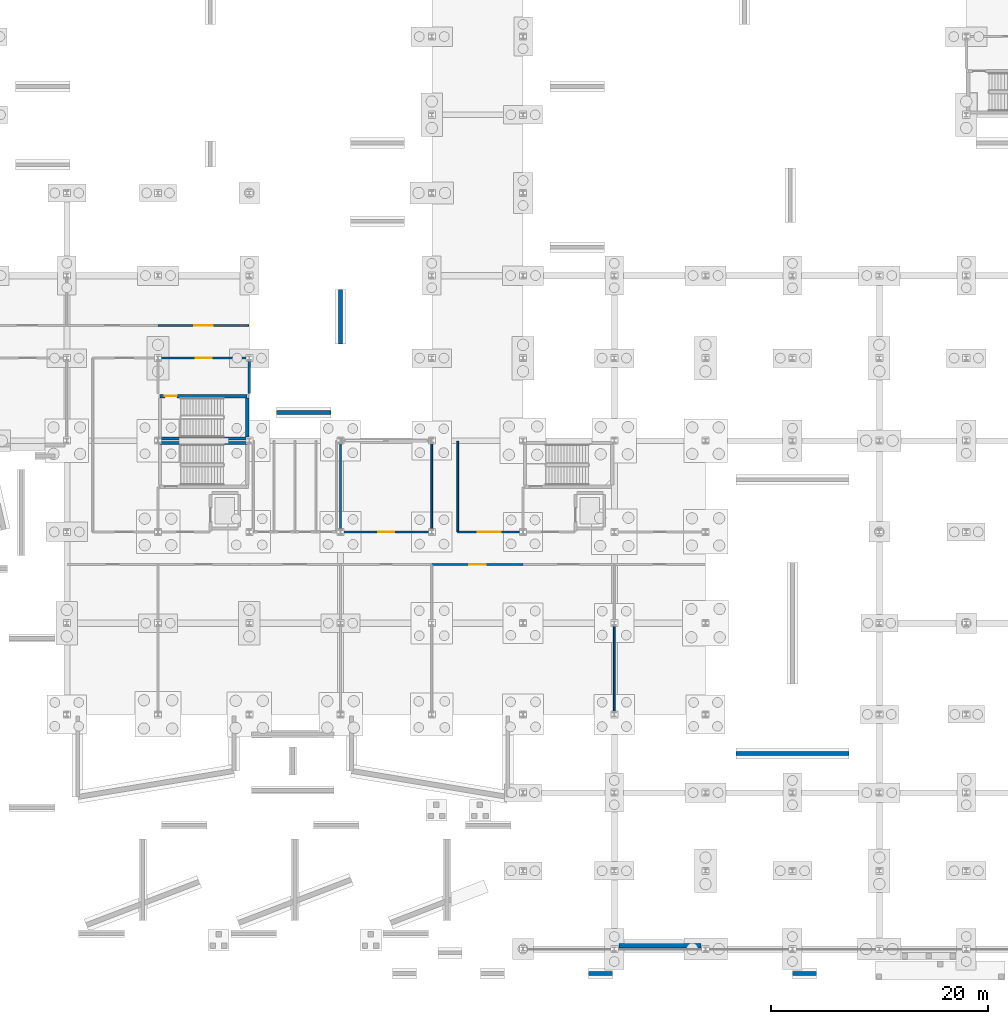
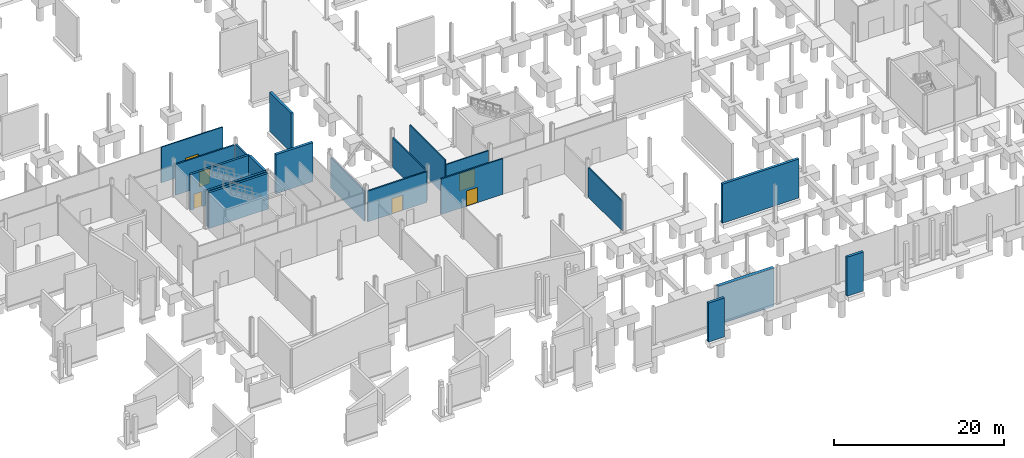
# One storey, part 45 of 61: 20 walls, 6 doors, 6 openings.
"""IFC4 building model written with IfcOpenShell, lengths in metres."""

from ifc_helpers import new_model, si_unit, direction, frame, frame_2d, origin, place, context, subcontext, project, spatial, rectangle, extrude, material, layer, layer_set, type_object, element, fill, save


model = new_model("IFC4")

# Units and contexts
model_context = context("Model", 3, precision=1e-05, world=origin(), true_north=direction((0.0, 1.0)))
body_context = subcontext(model_context, "Body", "Model", "MODEL_VIEW")
ifc_project = project(units=[si_unit("LENGTHUNIT", "METRE"), si_unit("AREAUNIT", "SQUARE_METRE"), si_unit("VOLUMEUNIT", "CUBIC_METRE"), si_unit("PLANEANGLEUNIT", "RADIAN"), si_unit("MASSUNIT", "GRAM", prefix="KILO")], contexts=[model_context])

# Site, building, storey
site_placement = place(None, origin())
site = spatial("IfcSite", under=ifc_project, at=site_placement, CompositionType="ELEMENT")
building_placement = place(site_placement, origin())
building = spatial("IfcBuilding", under=site, at=building_placement, Name="Calvrana Isthmian Art Gallery", CompositionType="ELEMENT")
storey_placement = place(building_placement, frame((0.0, 0.0, -5.39990234375)))
storey = spatial("IfcBuildingStorey", under=building, at=storey_placement, Name="B1", CompositionType="ELEMENT", Elevation=-5.39990234375)

# Walls
ifc_material_1 = material(Name="Concrete C40/50", Category="concrete")
ifc_layer_1 = layer(ifc_material_1, 0.300048828125, Name="Concrete C40/50")
ifc_layer_set_1 = layer_set([ifc_layer_1], Name="Concrete C40/50")
wall_type_1 = type_object("IfcWallType", Name="CW-SHAFT-300", PredefinedType="SHEAR", material=ifc_layer_set_1)
for number, where, z_axis, x_axis, name in (
    (1, (30.18994140625, 46.580078125, 0.0), (0.0, 0.0, 1.0), (1.0, 0.0, 0.0), "Core C1 shear wall N B1"),
    (2, (30.18994140625, 47.0, 0.0), (0.0, 0.0, 1.0), (1.0, 0.0, 0.0), "Core C7 shear wall S B1"),
):
    element("IfcWall", number, at=place(storey_placement, frame(where, z_axis=z_axis, x_axis=x_axis)), inside=storey, type_object=wall_type_1, Name=name, PredefinedType="SHEAR", context=body_context, shape_type="SweptSolid", body=[
        extrude(rectangle(XDim=8.02001953125, YDim=0.300048828125, at=frame_2d((4.010009765625, 0.0))), origin(), (0.0, 0.0, 1.0), 5.119873046875),
    ])

# Wall, opening, door
wall_1_placement = place(storey_placement, frame((30.18994140625, 50.89990234375, 0.0), z_axis=(0.0, 0.0, 1.0), x_axis=(1.0, 0.0, 0.0)))
wall_1 = element("IfcWall", 3, at=wall_1_placement, inside=storey, type_object=wall_type_1, Name="Core C7 shear wall N B1", PredefinedType="SHEAR", context=body_context, shape_type="SweptSolid", body=[
    extrude(rectangle(XDim=8.02001953125, YDim=0.300048828125, at=frame_2d((4.010009765625, 0.0))), origin(), (0.0, 0.0, 1.0), 5.119873046875),
])
opening_1_placement = place(wall_1_placement, frame((0.449951171875, 0.0, 0.0)))
opening_1 = element("IfcOpeningElement", 4, at=opening_1_placement, cuts=wall_1, Name="Opening D-174", PredefinedType="OPENING", context=body_context, shape_type="SweptSolid", body=[
    extrude(rectangle(XDim=1.10009765625, YDim=2.14990234375, at=frame_2d((0.550048828125, 1.074951171875))), frame((0.0, 0.16015625, 0.0), z_axis=(0.0, -1.0, 0.0), x_axis=(1.0, 0.0, 0.0)), (0.0, 0.0, 1.0), 0.320556640625),
])
ifc_material_2 = material(Name="Steel ASTM A572 Gr 50", Category="steel")
door_type_1 = type_object("IfcDoorType", Name="DR-FIRE-1100", OperationType="NOTDEFINED", PredefinedType="DOOR", material=ifc_material_2)
door_1_placement = place(opening_1_placement, origin())
door_1 = element("IfcDoor", 5, at=door_1_placement, inside=storey, type_object=door_type_1, Name="Stair ST-7 fire door B1", OperationType="SINGLE_SWING_RIGHT", OverallHeight=2.14990234375, OverallWidth=1.10009765625, PredefinedType="DOOR", context=body_context, shape_type="SweptSolid", body=[
    extrude(rectangle(XDim=1.10009765625, YDim=2.14990234375, at=frame_2d((0.550048828125, 1.074951171875))), frame((0.0, 0.02490234375, 0.0), z_axis=(0.0, -1.0, 0.0), x_axis=(1.0, 0.0, 0.0)), (0.0, 0.0, 1.0), 0.050048828125),
])
fill(opening_1, door_1)

# Walls
wall_2_placement = place(storey_placement, frame((38.2099609375, 47.14990234375, 0.0), z_axis=(0.0, 0.0, 1.0), x_axis=(0.0, 1.0, 0.0)))
element("IfcWall", 6, at=wall_2_placement, inside=storey, type_object=wall_type_1, Name="Core C7 shear wall E B1", PredefinedType="SHEAR", context=body_context, shape_type="SweptSolid", body=[
    extrude(rectangle(XDim=3.60009765625, YDim=0.300048828125, at=frame_2d((1.800048828125, 0.0))), origin(), (0.0, 0.0, 1.0), 5.119873046875),
])
ifc_material_3 = material(Name="Acoustic gypsum ceiling", Category="gypsum")
ifc_layer_2 = layer(ifc_material_3, 0.199951171875, Name="Acoustic gypsum ceiling")
ifc_layer_set_2 = layer_set([ifc_layer_2], Name="Acoustic gypsum ceiling")
wall_type_2 = type_object("IfcWallType", Name="PW-FIRE-200", PredefinedType="PARTITIONING", material=ifc_layer_set_2)
wall_3_placement = place(storey_placement, frame((38.39990234375, 51.1201171875, 0.0), z_axis=(0.0, 0.0, 1.0), x_axis=(0.0, 1.0, 0.0)))
element("IfcWall", 7, at=wall_3_placement, inside=storey, type_object=wall_type_2, Name="Core C7 lobby E closure B1", PredefinedType="PARTITIONING", context=body_context, shape_type="SweptSolid", body=[
    extrude(rectangle(XDim=3.259765625, YDim=0.199951171875, at=frame_2d((1.6298828125, 0.0))), origin(), (0.0, 0.0, 1.0), 4.48779296875),
])

# Wall, opening, door
wall_4_placement = place(storey_placement, frame((30.219970703125, 54.39990234375, 0.0), z_axis=(0.0, 0.0, 1.0), x_axis=(1.0, 0.0, 0.0)))
wall_4 = element("IfcWall", 8, at=wall_4_placement, inside=storey, type_object=wall_type_2, Name="Core C7 lobby enclosure B1", PredefinedType="PARTITIONING", context=body_context, shape_type="SweptSolid", body=[
    extrude(rectangle(XDim=7.9599609375, YDim=0.199951171875, at=frame_2d((3.97998046875, 0.0))), origin(), (0.0, 0.0, 1.0), 4.406982421875),
])
opening_2_placement = place(wall_4_placement, frame((3.2548828125, 0.0, 0.0)))
opening_2 = element("IfcOpeningElement", 9, at=opening_2_placement, cuts=wall_4, Name="Opening D-175", PredefinedType="OPENING", context=body_context, shape_type="SweptSolid", body=[
    extrude(rectangle(XDim=1.449951171875, YDim=2.199951171875, at=frame_2d((0.72509765625, 1.10009765625))), frame((0.0, 0.1103515625, 0.0), z_axis=(0.0, -1.0, 0.0), x_axis=(1.0, 0.0, 0.0)), (0.0, 0.0, 1.0), 0.220458984375),
])
door_type_2 = type_object("IfcDoorType", Name="DR-LOBBY-1450", OperationType="DOUBLE_DOOR_SINGLE_SWING", PredefinedType="DOOR", material=ifc_material_2)
door_2_placement = place(opening_2_placement, origin())
door_2 = element("IfcDoor", 10, at=door_2_placement, inside=storey, type_object=door_type_2, Name="Core C7 lobby fire door B1", OperationType="DOUBLE_DOOR_SINGLE_SWING", OverallHeight=2.199951171875, OverallWidth=1.449951171875, PredefinedType="DOOR", context=body_context, shape_type="SweptSolid", body=[
    extrude(rectangle(XDim=1.449951171875, YDim=2.199951171875, at=frame_2d((0.72509765625, 1.10009765625))), frame((0.0, 0.02490234375, 0.0), z_axis=(0.0, -1.0, 0.0), x_axis=(1.0, 0.0, 0.0)), (0.0, 0.0, 1.0), 0.050048828125),
])
fill(opening_2, door_2)

wall_5_placement = place(storey_placement, frame((55.2099609375, 35.389892578125, 0.0), z_axis=(0.0, 0.0, 1.0), x_axis=(1.0, 0.0, 0.0)))
wall_5 = element("IfcWall", 11, at=wall_5_placement, inside=storey, type_object=wall_type_2, Name="Interior partition PW-011", PredefinedType="PARTITIONING", context=body_context, shape_type="SweptSolid", body=[
    extrude(rectangle(XDim=8.380126953125, YDim=0.199951171875, at=frame_2d((4.18994140625, 0.0))), origin(), (0.0, 0.0, 1.0), 5.099853515625),
])
opening_3_placement = place(wall_5_placement, frame((3.43994140625, 0.0, 0.0)))
opening_3 = element("IfcOpeningElement", 12, at=opening_3_placement, cuts=wall_5, Name="Opening D-194", PredefinedType="OPENING", context=body_context, shape_type="SweptSolid", body=[
    extrude(rectangle(XDim=1.5, YDim=2.199951171875, at=frame_2d((0.75, 1.10009765625))), frame((0.0, 0.1103515625, 0.0), z_axis=(0.0, -1.0, 0.0), x_axis=(1.0, 0.0, 0.0)), (0.0, 0.0, 1.0), 0.220458984375),
])
door_type_3 = type_object("IfcDoorType", Name="DR-STAIR-1500", OperationType="NOTDEFINED", PredefinedType="DOOR", material=ifc_material_2)
door_3_placement = place(opening_3_placement, origin())
door_3 = element("IfcDoor", 13, at=door_3_placement, inside=storey, type_object=door_type_3, Name="Interior door D-194", OperationType="SINGLE_SWING_LEFT", OverallHeight=2.199951171875, OverallWidth=1.5, PredefinedType="DOOR", context=body_context, shape_type="SweptSolid", body=[
    extrude(rectangle(XDim=1.5, YDim=2.199951171875, at=frame_2d((0.75, 1.10009765625))), frame((0.0, 0.02490234375, 0.0), z_axis=(0.0, -1.0, 0.0), x_axis=(1.0, 0.0, 0.0)), (0.0, 0.0, 1.0), 0.050048828125),
])
fill(opening_3, door_3)

wall_6_placement = place(storey_placement, frame((47.01708984375, 38.39990234375, 0.0), z_axis=(0.0, 0.0, 1.0), x_axis=(1.0, 0.0, 0.0)))
wall_6 = element("IfcWall", 14, at=wall_6_placement, inside=storey, type_object=wall_type_2, Name="Interior partition PW-025", PredefinedType="PARTITIONING", context=body_context, shape_type="SweptSolid", body=[
    extrude(rectangle(XDim=7.968505859375, YDim=0.199951171875, at=frame_2d((3.984375, 0.0))), origin(), (0.0, 0.0, 1.0), 4.406982421875),
])
opening_4_placement = place(wall_6_placement, frame((3.234130859375, 0.0, 0.0)))
opening_4 = element("IfcOpeningElement", 15, at=opening_4_placement, cuts=wall_6, Name="Opening D-202", PredefinedType="OPENING", context=body_context, shape_type="SweptSolid", body=[
    extrude(rectangle(XDim=1.5, YDim=2.199951171875, at=frame_2d((0.75, 1.10009765625))), frame((0.0, 0.1103515625, 0.0), z_axis=(0.0, -1.0, 0.0), x_axis=(1.0, 0.0, 0.0)), (0.0, 0.0, 1.0), 0.220458984375),
])
door_4_placement = place(opening_4_placement, origin())
door_4 = element("IfcDoor", 16, at=door_4_placement, inside=storey, type_object=door_type_3, Name="Interior door D-202", OperationType="SINGLE_SWING_LEFT", OverallHeight=2.199951171875, OverallWidth=1.5, PredefinedType="DOOR", context=body_context, shape_type="SweptSolid", body=[
    extrude(rectangle(XDim=1.5, YDim=2.199951171875, at=frame_2d((0.75, 1.10009765625))), frame((0.0, 0.02490234375, 0.0), z_axis=(0.0, -1.0, 0.0), x_axis=(1.0, 0.0, 0.0)), (0.0, 0.0, 1.0), 0.050048828125),
])
fill(opening_4, door_4)

# Walls
ifc_layer_3 = layer(ifc_material_3, 0.159912109375, Name="Acoustic gypsum ceiling")
ifc_layer_set_3 = layer_set([ifc_layer_3], Name="Acoustic gypsum ceiling")
wall_type_3 = type_object("IfcWallType", Name="PW-GAL-160", PredefinedType="PARTITIONING", material=ifc_layer_set_3)
wall_7_placement = place(storey_placement, frame((72.0, 21.80810546875, 0.0), z_axis=(0.0, 0.0, 1.0), x_axis=(0.0, 1.0, 0.0)))
element("IfcWall", 17, at=wall_7_placement, inside=storey, type_object=wall_type_3, Name="Interior partition PW-013", PredefinedType="PARTITIONING", context=body_context, shape_type="SweptSolid", body=[
    extrude(rectangle(XDim=7.97998046875, YDim=0.159912109375, at=frame_2d((3.989990234375, 0.0))), origin(), (0.0, 0.0, 1.0), 4.243896484375),
])
wall_8_placement = place(storey_placement, frame((46.800048828125, 38.617919921875, 0.0), z_axis=(0.0, 0.0, 1.0), x_axis=(0.0, 1.0, 0.0)))
element("IfcWall", 18, at=wall_8_placement, inside=storey, type_object=wall_type_3, Name="Interior partition PW-024", PredefinedType="PARTITIONING", context=body_context, shape_type="SweptSolid", body=[
    extrude(rectangle(XDim=7.95849609375, YDim=0.159912109375, at=frame_2d((3.979248046875, 0.0))), origin(), (0.0, 0.0, 1.0), 4.327880859375),
])
wall_9_placement = place(storey_placement, frame((55.199951171875, 38.612060546875, 0.0), z_axis=(0.0, 0.0, 1.0), x_axis=(0.0, 1.0, 0.0)))
element("IfcWall", 19, at=wall_9_placement, inside=storey, type_object=wall_type_3, Name="Interior partition PW-026", PredefinedType="PARTITIONING", context=body_context, shape_type="SweptSolid", body=[
    extrude(rectangle(XDim=7.973388671875, YDim=0.159912109375, at=frame_2d((3.98681640625, 0.0))), origin(), (0.0, 0.0, 1.0), 4.243896484375),
])
wall_10_placement = place(storey_placement, frame((57.60009765625, 38.419921875, 0.0), z_axis=(0.0, 0.0, 1.0), x_axis=(0.0, 1.0, 0.0)))
element("IfcWall", 20, at=wall_10_placement, inside=storey, type_object=wall_type_3, Name="Interior partition PW-027", PredefinedType="PARTITIONING", context=body_context, shape_type="SweptSolid", body=[
    extrude(rectangle(XDim=8.340087890625, YDim=0.159912109375, at=frame_2d((4.169921875, 0.0))), origin(), (0.0, 0.0, 1.0), 5.099853515625),
])

# Wall, opening, door
wall_11_placement = place(storey_placement, frame((57.60009765625, 38.39990234375, 0.0), z_axis=(0.0, 0.0, 1.0), x_axis=(1.0, 0.0, 0.0)))
wall_11 = element("IfcWall", 21, at=wall_11_placement, inside=storey, type_object=wall_type_3, Name="Interior partition PW-028", PredefinedType="PARTITIONING", context=body_context, shape_type="SweptSolid", body=[
    extrude(rectangle(XDim=5.781982421875, YDim=0.159912109375, at=frame_2d((2.89111328125, 0.0))), origin(), (0.0, 0.0, 1.0), 4.477783203125),
])
opening_5_placement = place(wall_11_placement, frame((1.841064453125, 0.0, 0.0)))
opening_5 = element("IfcOpeningElement", 22, at=opening_5_placement, cuts=wall_11, Name="Opening D-203", PredefinedType="OPENING", context=body_context, shape_type="SweptSolid", body=[
    extrude(rectangle(XDim=2.10009765625, YDim=2.5, at=frame_2d((1.050048828125, 1.25))), frame((0.0, 0.09033203125, 0.0), z_axis=(0.0, -1.0, 0.0), x_axis=(1.0, 0.0, 0.0)), (0.0, 0.0, 1.0), 0.180419921875),
])
ifc_material_4 = material(Name="Timber gallery flooring", Category="wood")
door_type_4 = type_object("IfcDoorType", Name="DR-GAL-2100", OperationType="DOUBLE_DOOR_SINGLE_SWING", PredefinedType="DOOR", material=ifc_material_4)
door_5_placement = place(opening_5_placement, origin())
door_5 = element("IfcDoor", 23, at=door_5_placement, inside=storey, type_object=door_type_4, Name="Interior door D-203", OperationType="DOUBLE_DOOR_SINGLE_SWING", OverallHeight=2.5, OverallWidth=2.10009765625, PredefinedType="DOOR", context=body_context, shape_type="SweptSolid", body=[
    extrude(rectangle(XDim=2.10009765625, YDim=2.5, at=frame_2d((1.050048828125, 1.25))), frame((0.0, 0.02490234375, 0.0), z_axis=(0.0, -1.0, 0.0), x_axis=(1.0, 0.0, 0.0)), (0.0, 0.0, 1.0), 0.050048828125),
])
fill(opening_5, door_5)

wall_12_placement = place(storey_placement, frame((30.010009765625, 57.409912109375, 0.0), z_axis=(0.0, 0.0, 1.0), x_axis=(1.0, 0.0, 0.0)))
wall_12 = element("IfcWall", 24, at=wall_12_placement, inside=storey, type_object=wall_type_3, Name="Interior partition PW-043", PredefinedType="PARTITIONING", context=body_context, shape_type="SweptSolid", body=[
    extrude(rectangle(XDim=8.330078125, YDim=0.159912109375, at=frame_2d((4.1650390625, 0.0))), origin(), (0.0, 0.0, 1.0), 5.099853515625),
])
opening_6_placement = place(wall_12_placement, frame((3.31494140625, 0.0, 0.0)))
opening_6 = element("IfcOpeningElement", 25, at=opening_6_placement, cuts=wall_12, Name="Opening D-213", PredefinedType="OPENING", context=body_context, shape_type="SweptSolid", body=[
    extrude(rectangle(XDim=1.699951171875, YDim=2.39990234375, at=frame_2d((0.85009765625, 1.199951171875))), frame((0.0, 0.09033203125, 0.0), z_axis=(0.0, -1.0, 0.0), x_axis=(1.0, 0.0, 0.0)), (0.0, 0.0, 1.0), 0.180419921875),
])
door_type_5 = type_object("IfcDoorType", Name="DR-GAL-1700", OperationType="DOUBLE_DOOR_SINGLE_SWING", PredefinedType="DOOR", material=ifc_material_4)
door_6_placement = place(opening_6_placement, origin())
door_6 = element("IfcDoor", 26, at=door_6_placement, inside=storey, type_object=door_type_5, Name="Interior door D-213", OperationType="DOUBLE_DOOR_SINGLE_SWING", OverallHeight=2.39990234375, OverallWidth=1.699951171875, PredefinedType="DOOR", context=body_context, shape_type="SweptSolid", body=[
    extrude(rectangle(XDim=1.699951171875, YDim=2.39990234375, at=frame_2d((0.85009765625, 1.199951171875))), frame((0.0, 0.02490234375, 0.0), z_axis=(0.0, -1.0, 0.0), x_axis=(1.0, 0.0, 0.0)), (0.0, 0.0, 1.0), 0.050048828125),
])
fill(opening_6, door_6)

# Walls
ifc_layer_4 = layer(ifc_material_1, 0.35009765625, Name="Concrete C40/50")
ifc_layer_set_4 = layer_set([ifc_layer_4], Name="Concrete C40/50")
wall_type_4 = type_object("IfcWallType", Name="WL-RET-350", PredefinedType="USERDEFINED", material=ifc_layer_set_4)
wall_13_placement = place(storey_placement, frame((83.199951171875, 18.0, -0.4501953125), z_axis=(0.0, 0.0, 1.0), x_axis=(1.0, 0.0, 0.0)))
element("IfcWall", 27, at=wall_13_placement, inside=storey, type_object=wall_type_4, Name="Cloister court retaining wall S", ObjectType="RETAINING WALL", PredefinedType="USERDEFINED", context=body_context, shape_type="SweptSolid", body=[
    extrude(rectangle(XDim=10.400146484375, YDim=0.35009765625, at=frame_2d((5.2001953125, 0.0))), origin(), (0.0, 0.0, 1.0), 5.60009765625),
])
for number, where, z_axis, x_axis, name in (
    (28, (40.89990234375, 49.39990234375, -0.4501953125), (0.0, 0.0, 1.0), (1.0, 0.0, 0.0), "Apron grade wall SLB_CYD_NC_SW-A"),
    (29, (46.800048828125, 55.699951171875, -0.4501953125), (0.0, 0.0, 1.0), (0.0, 1.0, 0.0), "Apron grade wall SLB_CYD_NC_SW-C"),
):
    element("IfcWall", number, at=place(storey_placement, frame(where, z_axis=z_axis, x_axis=x_axis)), inside=storey, type_object=wall_type_4, Name=name, ObjectType="RETAINING WALL", PredefinedType="USERDEFINED", context=body_context, shape_type="SweptSolid", body=[
        extrude(rectangle(XDim=5.0, YDim=0.35009765625, at=frame_2d((2.5, 0.0))), origin(), (0.0, 0.0, 1.0), 5.60009765625),
    ])
wall_14_placement = place(storey_placement, frame((69.6279296875, -2.25, -0.4501953125), z_axis=(0.0, 0.0, 1.0), x_axis=(1.0, 0.0, 0.0)))
element("IfcWall", 30, at=wall_14_placement, inside=storey, type_object=wall_type_4, Name="Apron grade wall SLB_APR_SE_W-A", ObjectType="RETAINING WALL", PredefinedType="USERDEFINED", context=body_context, shape_type="SweptSolid", body=[
    extrude(rectangle(XDim=2.199951171875, YDim=0.35009765625, at=frame_2d((1.10009765625, 0.0))), origin(), (0.0, 0.0, 1.0), 5.60009765625),
])
wall_15_placement = place(storey_placement, frame((88.419921875, -2.25, -0.4501953125), z_axis=(0.0, 0.0, 1.0), x_axis=(1.0, 0.0, 0.0)))
element("IfcWall", 31, at=wall_15_placement, inside=storey, type_object=wall_type_4, Name="Apron grade wall SLB_APR_SE_W-C", ObjectType="RETAINING WALL", PredefinedType="USERDEFINED", context=body_context, shape_type="SweptSolid", body=[
    extrude(rectangle(XDim=2.2001953125, YDim=0.35009765625, at=frame_2d((1.10009765625, 0.0))), origin(), (0.0, 0.0, 1.0), 5.60009765625),
])
ifc_layer_5 = layer(ifc_material_1, 0.449951171875, Name="Concrete C40/50")
ifc_layer_set_5 = layer_set([ifc_layer_5], Name="Concrete C40/50")
wall_type_5 = type_object("IfcWallType", Name="WL-RET-450", PredefinedType="USERDEFINED", material=ifc_layer_set_5)
wall_16_placement = place(storey_placement, frame((72.431396484375, 0.300048828125, -0.4501953125), z_axis=(0.0, 0.0, 1.0), x_axis=(1.0, 0.0, 0.0)))
element("IfcWall", 32, at=wall_16_placement, inside=storey, type_object=wall_type_5, Name="Hillside plinth retaining wall RW_B1_V2S", ObjectType="RETAINING WALL", PredefinedType="USERDEFINED", context=body_context, shape_type="SweptSolid", body=[
    extrude(rectangle(XDim=7.537109375, YDim=0.449951171875, at=frame_2d((3.7685546875, 0.0))), origin(), (0.0, 0.0, 1.0), 5.5),
])

save(model, "model.ifc")
